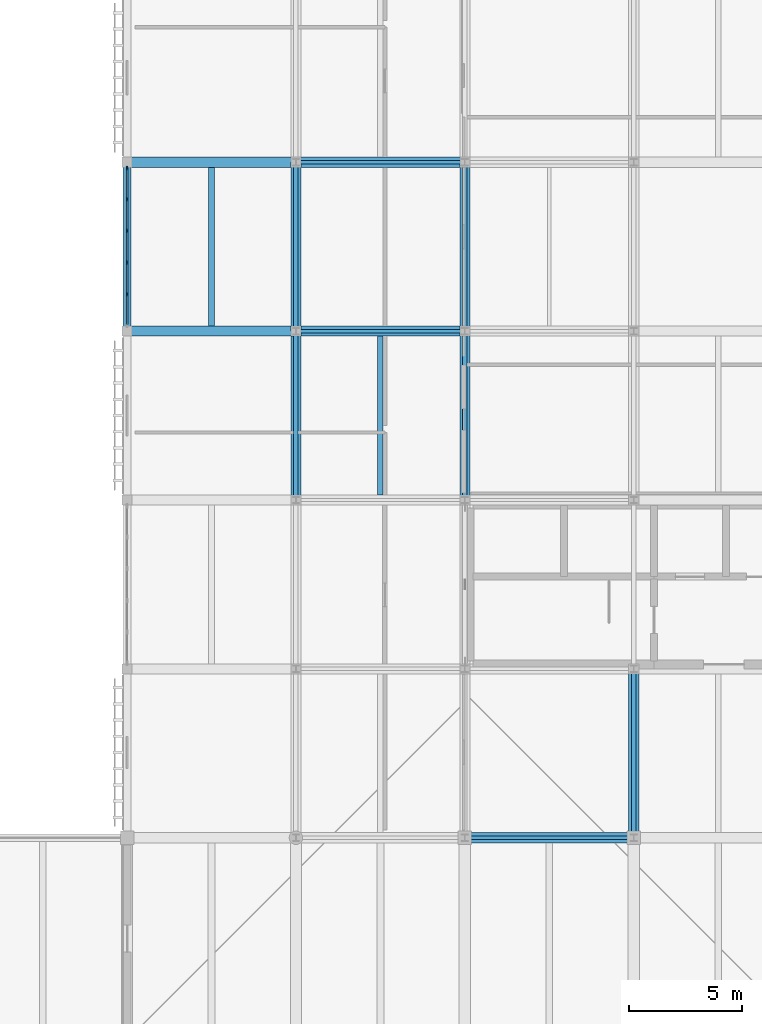
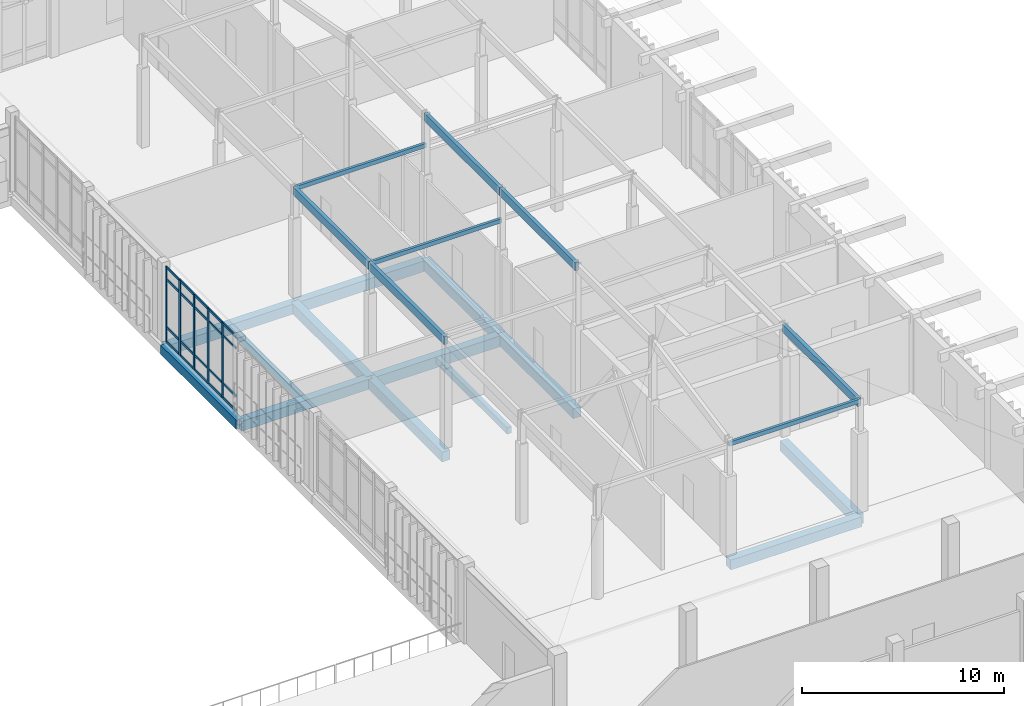
# One storey, part 67 of 131: 28 members, 18 beams, 1 element without a shape of its own.
"""IFC4 building model written with IfcOpenShell, lengths in metres."""

from ifc_helpers import new_model, si_unit, direction, frame, origin, origin_2d, place, context, subcontext, project, spatial, rectangle, hollow_rectangle, extrude, material, layer, layer_set, material_profile, profile_set, type_object, element, aggregate, save


model = new_model("IFC4")

# Units and contexts
model_context = context("Model", 3, precision=1e-05, world=origin(), true_north=direction((0.0, 1.0)))
body_context = subcontext(model_context, "Body", "Model", "MODEL_VIEW")
ifc_project = project(units=[si_unit("LENGTHUNIT", "METRE"), si_unit("AREAUNIT", "SQUARE_METRE"), si_unit("VOLUMEUNIT", "CUBIC_METRE"), si_unit("PLANEANGLEUNIT", "RADIAN"), si_unit("MASSUNIT", "GRAM", prefix="KILO")], contexts=[model_context])

# Site, building, storey
site_placement = place(None, origin())
site = spatial("IfcSite", under=ifc_project, at=site_placement, CompositionType="ELEMENT")
building_placement = place(site_placement, origin())
building = spatial("IfcBuilding", under=site, at=building_placement, Name="Dalvernix Boulevard General Hospital", CompositionType="ELEMENT")
storey_placement = place(building_placement, frame((0.0, 0.0, 9.300048828125)))
storey = spatial("IfcBuildingStorey", under=building, at=storey_placement, Name="L02", CompositionType="ELEMENT", Elevation=9.300048828125)

# Beams
ifc_material_1 = material(Name="Concrete C35/45", Category="concrete")
ifc_material_profile_1 = material_profile(ifc_material_1, rectangle(XDim=0.449951171875, YDim=0.64990234375, at=origin_2d()), Name="RCB 450x650")
ifc_profile_set_1 = profile_set([ifc_material_profile_1], Name="Concrete C35/45")
beam_type_1 = type_object("IfcBeamType", Name="BM-B-03-I", PredefinedType="BEAM", material=ifc_profile_set_1)
for number, where, z_axis, x_axis, name in (
    (1, (150.0, 54.0, -0.64501953125), (1.0, 0.0, 0.0), (0.0, 1.0, 0.0), "L02 E-W girder H:21-22"),
    (2, (150.0, 61.5, -0.64501953125), (1.0, 0.0, 0.0), (0.0, 1.0, 0.0), "L02 E-W girder J:21-22"),
):
    element("IfcBeam", number, at=place(storey_placement, frame(where, z_axis=z_axis, x_axis=x_axis)), inside=storey, type_object=beam_type_1, Name=name, PredefinedType="BEAM", context=body_context, shape_type="SweptSolid", body=[
        extrude(rectangle(XDim=0.449951171875, YDim=0.64990234375, at=origin_2d()), origin(), (0.0, 0.0, 1.0), 7.5),
    ])
ifc_material_profile_2 = material_profile(ifc_material_1, rectangle(XDim=0.449951171875, YDim=0.60009765625, at=origin_2d()), Name="RCB 450x600")
ifc_profile_set_2 = profile_set([ifc_material_profile_2], Name="Concrete C35/45")
beam_type_2 = type_object("IfcBeamType", Name="BM-B-04-I", PredefinedType="BEAM", material=ifc_profile_set_2)
for number, where, z_axis, x_axis, name in (
    (3, (157.5, 31.5, -0.6201171875), (1.0, 0.0, 0.0), (0.0, 1.0, 0.0), "L02 E-W girder E:22-23"),
    (4, (142.5, 54.0, -0.6201171875), (1.0, 0.0, 0.0), (0.0, 1.0, 0.0), "L02 E-W girder H:20-21"),
    (5, (142.5, 61.5, -0.6201171875), (1.0, 0.0, 0.0), (0.0, 1.0, 0.0), "L02 E-W girder J:20-21"),
    (6, (150.0, 46.5, -0.6201171875), (0.0, 1.0, 0.0), (-1.0, 0.0, 0.0), "L02 N-S girder 21:G-H"),
    (7, (150.0, 54.0, -0.6201171875), (0.0, 1.0, 0.0), (-1.0, 0.0, 0.0), "L02 N-S girder 21:H-J"),
    (8, (157.5, 46.5, -0.6201171875), (0.0, 1.0, 0.0), (-1.0, 0.0, 0.0), "L02 N-S girder 22:G-H"),
    (9, (157.5, 54.0, -0.6201171875), (0.0, 1.0, 0.0), (-1.0, 0.0, 0.0), "L02 N-S girder 22:H-J"),
    (10, (165.0, 31.5, -0.6201171875), (0.0, 1.0, 0.0), (-1.0, 0.0, 0.0), "L02 N-S girder 23:E-F"),
):
    element("IfcBeam", number, at=place(storey_placement, frame(where, z_axis=z_axis, x_axis=x_axis)), inside=storey, type_object=beam_type_2, Name=name, PredefinedType="BEAM", context=body_context, shape_type="SweptSolid", body=[
        extrude(rectangle(XDim=0.449951171875, YDim=0.60009765625, at=origin_2d()), origin(), (0.0, 0.0, 1.0), 7.5),
    ])
ifc_material_2 = material(Name="Glulam GL28h", Category="wood")
ifc_material_profile_3 = material_profile(ifc_material_2, rectangle(XDim=0.199951171875, YDim=0.47998046875, at=origin_2d()), Name="GL28h 200x480")
ifc_profile_set_3 = profile_set([ifc_material_profile_3], Name="Glulam GL28h")
beam_type_3 = type_object("IfcBeamType", Name="BM-GB-T3", PredefinedType="JOIST", material=ifc_profile_set_3)
for number, where, z_axis, x_axis, name in (
    (11, (150.0, 46.5, 6.371826171875), (0.0, 1.0, 0.0), (-1.0, 0.0, 0.0), "V2 pitched glulam rafter 21:G-H"),
    (12, (150.0, 54.0, 6.371826171875), (0.0, 1.0, 0.0), (-1.0, 0.0, 0.0), "V2 pitched glulam rafter 21:H-J"),
    (13, (157.5, 46.5, 8.2138671875), (0.0, 1.0, 0.0), (-1.0, 0.0, 0.0), "V2 pitched glulam rafter 22:G-H"),
    (14, (157.5, 54.0, 8.2138671875), (0.0, 1.0, 0.0), (-1.0, 0.0, 0.0), "V2 pitched glulam rafter 22:H-J"),
    (15, (165.0, 31.5, 6.469970703125), (0.0, 1.0, 0.0), (-1.0, 0.0, 0.0), "V2 pitched glulam rafter 23:E-F"),
):
    element("IfcBeam", number, at=place(storey_placement, frame(where, z_axis=z_axis, x_axis=x_axis)), inside=storey, type_object=beam_type_3, Name=name, PredefinedType="JOIST", context=body_context, shape_type="SweptSolid", body=[
        extrude(rectangle(XDim=0.199951171875, YDim=0.47998046875, at=origin_2d()), origin(), (0.0, 0.0, 1.0), 7.5),
    ])
ifc_material_profile_4 = material_profile(ifc_material_1, rectangle(XDim=0.25, YDim=0.39990234375, at=origin_2d()), Name="RCB 250x400")
ifc_profile_set_4 = profile_set([ifc_material_profile_4], Name="Concrete C35/45")
beam_type_4 = type_object("IfcBeamType", Name="BM-JB-02", PredefinedType="JOIST", material=ifc_profile_set_4)
for number, where, z_axis, x_axis, name in (
    (16, (146.25, 54.22509765625, -0.52001953125), (0.0, 1.0, 0.0), (-1.0, 0.0, 0.0), "L02 secondary floor beam 20-H"),
    (17, (153.75, 46.72509765625, -0.52001953125), (0.0, 1.0, 0.0), (-1.0, 0.0, 0.0), "L02 secondary floor beam 21-G"),
):
    element("IfcBeam", number, at=place(storey_placement, frame(where, z_axis=z_axis, x_axis=x_axis)), inside=storey, type_object=beam_type_4, Name=name, PredefinedType="JOIST", context=body_context, shape_type="SweptSolid", body=[
        extrude(rectangle(XDim=0.25, YDim=0.39990234375, at=origin_2d()), origin(), (0.0, 0.0, 1.0), 7.0498046875),
    ])
ifc_material_profile_5 = material_profile(ifc_material_1, rectangle(XDim=0.35009765625, YDim=0.550048828125, at=origin_2d()), Name="RCB 350x550")
ifc_profile_set_5 = profile_set([ifc_material_profile_5], Name="Concrete C35/45")
beam_type_5 = type_object("IfcBeamType", Name="BM-SB-01-E", PredefinedType="SPANDREL", material=ifc_profile_set_5)
beam_placement = place(storey_placement, frame((142.5, 54.0, -0.594970703125), z_axis=(0.0, 1.0, 0.0), x_axis=(-1.0, 0.0, 0.0)))
element("IfcBeam", 18, at=beam_placement, inside=storey, type_object=beam_type_5, Name="L02 N-S girder 20:H-J", PredefinedType="SPANDREL", context=body_context, shape_type="SweptSolid", body=[
    extrude(rectangle(XDim=0.35009765625, YDim=0.550048828125, at=origin_2d()), origin(), (0.0, 0.0, 1.0), 7.5),
])

# Curtain wall, members
ifc_material_3 = material(Name="Thermally broken aluminium and solar-control glass curtain wall", Category="aluminium")
ifc_layer = layer(ifc_material_3, 0.179931640625)
ifc_layer_set = layer_set([ifc_layer], Name="Thermally broken aluminium and solar-control glass curtain wall (CW-CW-B-70x46)")
curtain_wall_type = type_object("IfcCurtainWallType", Name="CW-CW-B-70x46", PredefinedType="USERDEFINED", material=ifc_layer_set)
curtain_wall_placement = place(storey_placement, origin())
curtain_wall = element("IfcCurtainWall", 19, at=curtain_wall_placement, inside=storey, type_object=curtain_wall_type, Name="L02 curtain wall CW-B-70x46 19-7", ObjectType="GLAZED FACADE", PredefinedType="USERDEFINED")
ifc_material_4 = material(Name="Aluminium EN AW-6060", Category="aluminium")
ifc_material_profile_6 = material_profile(ifc_material_4, rectangle(XDim=0.06494140625, YDim=0.179931640625, at=origin_2d()), Name="ALU MULL 65x180")
ifc_profile_set_6 = profile_set([ifc_material_profile_6], Name="Aluminium EN AW-6060")
member_type_1 = type_object("IfcMemberType", Name="MEM-CW-M2", PredefinedType="MULLION", material=ifc_profile_set_6)
member_1_placement = place(storey_placement, frame((142.5, 55.64111328125, 0.0), z_axis=(0.0, 0.0, 1.0), x_axis=(-1.0, 0.0, 0.0)))
member_1 = element("IfcMember", 20, at=member_1_placement, type_object=member_type_1, Name="CW-B-70x46 mullion 2", PredefinedType="MULLION", context=body_context, shape_type="SweptSolid", body=[
    extrude(rectangle(XDim=0.06494140625, YDim=0.179931640625, at=origin_2d()), origin(), (0.0, 0.0, 1.0), 4.550048828125),
])
member_2_placement = place(storey_placement, frame((142.5, 57.047119140625, 0.0), z_axis=(0.0, 0.0, 1.0), x_axis=(-1.0, 0.0, 0.0)))
member_2 = element("IfcMember", 21, at=member_2_placement, type_object=member_type_1, Name="CW-B-70x46 mullion 3", PredefinedType="MULLION", context=body_context, shape_type="SweptSolid", body=[
    extrude(rectangle(XDim=0.06494140625, YDim=0.179931640625, at=origin_2d()), origin(), (0.0, 0.0, 1.0), 4.550048828125),
])
member_3_placement = place(storey_placement, frame((142.5, 58.452880859375, 0.0), z_axis=(0.0, 0.0, 1.0), x_axis=(-1.0, 0.0, 0.0)))
member_3 = element("IfcMember", 22, at=member_3_placement, type_object=member_type_1, Name="CW-B-70x46 mullion 4", PredefinedType="MULLION", context=body_context, shape_type="SweptSolid", body=[
    extrude(rectangle(XDim=0.06494140625, YDim=0.179931640625, at=origin_2d()), origin(), (0.0, 0.0, 1.0), 4.550048828125),
])
member_4_placement = place(storey_placement, frame((142.5, 59.85888671875, 0.0), z_axis=(0.0, 0.0, 1.0), x_axis=(-1.0, 0.0, 0.0)))
member_4 = element("IfcMember", 23, at=member_4_placement, type_object=member_type_1, Name="CW-B-70x46 mullion 5", PredefinedType="MULLION", context=body_context, shape_type="SweptSolid", body=[
    extrude(rectangle(XDim=0.06494140625, YDim=0.179931640625, at=origin_2d()), origin(), (0.0, 0.0, 1.0), 4.550048828125),
])
member_5_placement = place(storey_placement, frame((142.5, 61.232421875, 0.0), z_axis=(0.0, 0.0, 1.0), x_axis=(-1.0, 0.0, 0.0)))
member_5 = element("IfcMember", 24, at=member_5_placement, type_object=member_type_1, Name="CW-B-70x46 mullion 6", PredefinedType="MULLION", context=body_context, shape_type="SweptSolid", body=[
    extrude(rectangle(XDim=0.06494140625, YDim=0.179931640625, at=origin_2d()), origin(), (0.0, 0.0, 1.0), 4.550048828125),
])
ifc_material_profile_7 = material_profile(ifc_material_4, rectangle(XDim=0.06494140625, YDim=0.139892578125, at=origin_2d()), Name="ALU TRAN 65x140")
ifc_profile_set_7 = profile_set([ifc_material_profile_7], Name="Aluminium EN AW-6060")
member_type_2 = type_object("IfcMemberType", Name="MEM-CW-T2", PredefinedType="USERDEFINED", material=ifc_profile_set_7)
member_6_placement = place(storey_placement, frame((142.5, 54.300048828125, 0.032470703125), z_axis=(0.0, 1.0, 0.0), x_axis=(-1.0, 0.0, 0.0)))
member_6 = element("IfcMember", 25, at=member_6_placement, type_object=member_type_2, Name="CW-B-70x46 transom 1.1", ObjectType="TRANSOM", PredefinedType="USERDEFINED", context=body_context, shape_type="SweptSolid", body=[
    extrude(rectangle(XDim=0.06494140625, YDim=0.139892578125, at=origin_2d()), origin(), (0.0, 0.0, 1.0), 1.308349609375),
])
member_7_placement = place(storey_placement, frame((142.5, 54.300048828125, 0.89990234375), z_axis=(0.0, 1.0, 0.0), x_axis=(-1.0, 0.0, 0.0)))
member_7 = element("IfcMember", 26, at=member_7_placement, type_object=member_type_2, Name="CW-B-70x46 transom 1.2", ObjectType="TRANSOM", PredefinedType="USERDEFINED", context=body_context, shape_type="SweptSolid", body=[
    extrude(rectangle(XDim=0.06494140625, YDim=0.139892578125, at=origin_2d()), origin(), (0.0, 0.0, 1.0), 1.308349609375),
])
member_8_placement = place(storey_placement, frame((142.5, 54.300048828125, 3.800048828125), z_axis=(0.0, 1.0, 0.0), x_axis=(-1.0, 0.0, 0.0)))
member_8 = element("IfcMember", 27, at=member_8_placement, type_object=member_type_2, Name="CW-B-70x46 transom 1.3", ObjectType="TRANSOM", PredefinedType="USERDEFINED", context=body_context, shape_type="SweptSolid", body=[
    extrude(rectangle(XDim=0.06494140625, YDim=0.139892578125, at=origin_2d()), origin(), (0.0, 0.0, 1.0), 1.308349609375),
])
member_9_placement = place(storey_placement, frame((142.5, 54.300048828125, 4.517333984375), z_axis=(0.0, 1.0, 0.0), x_axis=(-1.0, 0.0, 0.0)))
member_9 = element("IfcMember", 28, at=member_9_placement, type_object=member_type_2, Name="CW-B-70x46 transom 1.4", ObjectType="TRANSOM", PredefinedType="USERDEFINED", context=body_context, shape_type="SweptSolid", body=[
    extrude(rectangle(XDim=0.06494140625, YDim=0.139892578125, at=origin_2d()), origin(), (0.0, 0.0, 1.0), 1.308349609375),
])
member_10_placement = place(storey_placement, frame((142.5, 55.673583984375, 0.032470703125), z_axis=(0.0, 1.0, 0.0), x_axis=(-1.0, 0.0, 0.0)))
member_10 = element("IfcMember", 29, at=member_10_placement, type_object=member_type_2, Name="CW-B-70x46 transom 2.1", ObjectType="TRANSOM", PredefinedType="USERDEFINED", context=body_context, shape_type="SweptSolid", body=[
    extrude(rectangle(XDim=0.06494140625, YDim=0.139892578125, at=origin_2d()), origin(), (0.0, 0.0, 1.0), 1.3408203125),
])
member_11_placement = place(storey_placement, frame((142.5, 55.673583984375, 0.89990234375), z_axis=(0.0, 1.0, 0.0), x_axis=(-1.0, 0.0, 0.0)))
member_11 = element("IfcMember", 30, at=member_11_placement, type_object=member_type_2, Name="CW-B-70x46 transom 2.2", ObjectType="TRANSOM", PredefinedType="USERDEFINED", context=body_context, shape_type="SweptSolid", body=[
    extrude(rectangle(XDim=0.06494140625, YDim=0.139892578125, at=origin_2d()), origin(), (0.0, 0.0, 1.0), 1.3408203125),
])
member_12_placement = place(storey_placement, frame((142.5, 55.673583984375, 3.800048828125), z_axis=(0.0, 1.0, 0.0), x_axis=(-1.0, 0.0, 0.0)))
member_12 = element("IfcMember", 31, at=member_12_placement, type_object=member_type_2, Name="CW-B-70x46 transom 2.3", ObjectType="TRANSOM", PredefinedType="USERDEFINED", context=body_context, shape_type="SweptSolid", body=[
    extrude(rectangle(XDim=0.06494140625, YDim=0.139892578125, at=origin_2d()), origin(), (0.0, 0.0, 1.0), 1.3408203125),
])
member_13_placement = place(storey_placement, frame((142.5, 55.673583984375, 4.517333984375), z_axis=(0.0, 1.0, 0.0), x_axis=(-1.0, 0.0, 0.0)))
member_13 = element("IfcMember", 32, at=member_13_placement, type_object=member_type_2, Name="CW-B-70x46 transom 2.4", ObjectType="TRANSOM", PredefinedType="USERDEFINED", context=body_context, shape_type="SweptSolid", body=[
    extrude(rectangle(XDim=0.06494140625, YDim=0.139892578125, at=origin_2d()), origin(), (0.0, 0.0, 1.0), 1.3408203125),
])
member_14_placement = place(storey_placement, frame((142.5, 57.07958984375, 0.032470703125), z_axis=(0.0, 1.0, 0.0), x_axis=(-1.0, 0.0, 0.0)))
member_14 = element("IfcMember", 33, at=member_14_placement, type_object=member_type_2, Name="CW-B-70x46 transom 3.1", ObjectType="TRANSOM", PredefinedType="USERDEFINED", context=body_context, shape_type="SweptSolid", body=[
    extrude(rectangle(XDim=0.06494140625, YDim=0.139892578125, at=origin_2d()), origin(), (0.0, 0.0, 1.0), 1.3408203125),
])
member_15_placement = place(storey_placement, frame((142.5, 57.07958984375, 0.89990234375), z_axis=(0.0, 1.0, 0.0), x_axis=(-1.0, 0.0, 0.0)))
member_15 = element("IfcMember", 34, at=member_15_placement, type_object=member_type_2, Name="CW-B-70x46 transom 3.2", ObjectType="TRANSOM", PredefinedType="USERDEFINED", context=body_context, shape_type="SweptSolid", body=[
    extrude(rectangle(XDim=0.06494140625, YDim=0.139892578125, at=origin_2d()), origin(), (0.0, 0.0, 1.0), 1.3408203125),
])
member_16_placement = place(storey_placement, frame((142.5, 57.07958984375, 3.800048828125), z_axis=(0.0, 1.0, 0.0), x_axis=(-1.0, 0.0, 0.0)))
member_16 = element("IfcMember", 35, at=member_16_placement, type_object=member_type_2, Name="CW-B-70x46 transom 3.3", ObjectType="TRANSOM", PredefinedType="USERDEFINED", context=body_context, shape_type="SweptSolid", body=[
    extrude(rectangle(XDim=0.06494140625, YDim=0.139892578125, at=origin_2d()), origin(), (0.0, 0.0, 1.0), 1.3408203125),
])
member_17_placement = place(storey_placement, frame((142.5, 57.07958984375, 4.517333984375), z_axis=(0.0, 1.0, 0.0), x_axis=(-1.0, 0.0, 0.0)))
member_17 = element("IfcMember", 36, at=member_17_placement, type_object=member_type_2, Name="CW-B-70x46 transom 3.4", ObjectType="TRANSOM", PredefinedType="USERDEFINED", context=body_context, shape_type="SweptSolid", body=[
    extrude(rectangle(XDim=0.06494140625, YDim=0.139892578125, at=origin_2d()), origin(), (0.0, 0.0, 1.0), 1.3408203125),
])
member_18_placement = place(storey_placement, frame((142.5, 58.485595703125, 0.032470703125), z_axis=(0.0, 1.0, 0.0), x_axis=(-1.0, 0.0, 0.0)))
member_18 = element("IfcMember", 37, at=member_18_placement, type_object=member_type_2, Name="CW-B-70x46 transom 4.1", ObjectType="TRANSOM", PredefinedType="USERDEFINED", context=body_context, shape_type="SweptSolid", body=[
    extrude(rectangle(XDim=0.06494140625, YDim=0.139892578125, at=origin_2d()), origin(), (0.0, 0.0, 1.0), 1.3408203125),
])
member_19_placement = place(storey_placement, frame((142.5, 58.485595703125, 0.89990234375), z_axis=(0.0, 1.0, 0.0), x_axis=(-1.0, 0.0, 0.0)))
member_19 = element("IfcMember", 38, at=member_19_placement, type_object=member_type_2, Name="CW-B-70x46 transom 4.2", ObjectType="TRANSOM", PredefinedType="USERDEFINED", context=body_context, shape_type="SweptSolid", body=[
    extrude(rectangle(XDim=0.06494140625, YDim=0.139892578125, at=origin_2d()), origin(), (0.0, 0.0, 1.0), 1.3408203125),
])
member_20_placement = place(storey_placement, frame((142.5, 58.485595703125, 3.800048828125), z_axis=(0.0, 1.0, 0.0), x_axis=(-1.0, 0.0, 0.0)))
member_20 = element("IfcMember", 39, at=member_20_placement, type_object=member_type_2, Name="CW-B-70x46 transom 4.3", ObjectType="TRANSOM", PredefinedType="USERDEFINED", context=body_context, shape_type="SweptSolid", body=[
    extrude(rectangle(XDim=0.06494140625, YDim=0.139892578125, at=origin_2d()), origin(), (0.0, 0.0, 1.0), 1.3408203125),
])
member_21_placement = place(storey_placement, frame((142.5, 58.485595703125, 4.517333984375), z_axis=(0.0, 1.0, 0.0), x_axis=(-1.0, 0.0, 0.0)))
member_21 = element("IfcMember", 40, at=member_21_placement, type_object=member_type_2, Name="CW-B-70x46 transom 4.4", ObjectType="TRANSOM", PredefinedType="USERDEFINED", context=body_context, shape_type="SweptSolid", body=[
    extrude(rectangle(XDim=0.06494140625, YDim=0.139892578125, at=origin_2d()), origin(), (0.0, 0.0, 1.0), 1.3408203125),
])
member_22_placement = place(storey_placement, frame((142.5, 59.8916015625, 0.032470703125), z_axis=(0.0, 1.0, 0.0), x_axis=(-1.0, 0.0, 0.0)))
member_22 = element("IfcMember", 41, at=member_22_placement, type_object=member_type_2, Name="CW-B-70x46 transom 5.1", ObjectType="TRANSOM", PredefinedType="USERDEFINED", context=body_context, shape_type="SweptSolid", body=[
    extrude(rectangle(XDim=0.06494140625, YDim=0.139892578125, at=origin_2d()), origin(), (0.0, 0.0, 1.0), 1.308349609375),
])
member_23_placement = place(storey_placement, frame((142.5, 59.8916015625, 0.89990234375), z_axis=(0.0, 1.0, 0.0), x_axis=(-1.0, 0.0, 0.0)))
member_23 = element("IfcMember", 42, at=member_23_placement, type_object=member_type_2, Name="CW-B-70x46 transom 5.2", ObjectType="TRANSOM", PredefinedType="USERDEFINED", context=body_context, shape_type="SweptSolid", body=[
    extrude(rectangle(XDim=0.06494140625, YDim=0.139892578125, at=origin_2d()), origin(), (0.0, 0.0, 1.0), 1.308349609375),
])
member_24_placement = place(storey_placement, frame((142.5, 59.8916015625, 3.800048828125), z_axis=(0.0, 1.0, 0.0), x_axis=(-1.0, 0.0, 0.0)))
member_24 = element("IfcMember", 43, at=member_24_placement, type_object=member_type_2, Name="CW-B-70x46 transom 5.3", ObjectType="TRANSOM", PredefinedType="USERDEFINED", context=body_context, shape_type="SweptSolid", body=[
    extrude(rectangle(XDim=0.06494140625, YDim=0.139892578125, at=origin_2d()), origin(), (0.0, 0.0, 1.0), 1.308349609375),
])
member_25_placement = place(storey_placement, frame((142.5, 59.8916015625, 4.517333984375), z_axis=(0.0, 1.0, 0.0), x_axis=(-1.0, 0.0, 0.0)))
member_25 = element("IfcMember", 44, at=member_25_placement, type_object=member_type_2, Name="CW-B-70x46 transom 5.4", ObjectType="TRANSOM", PredefinedType="USERDEFINED", context=body_context, shape_type="SweptSolid", body=[
    extrude(rectangle(XDim=0.06494140625, YDim=0.139892578125, at=origin_2d()), origin(), (0.0, 0.0, 1.0), 1.308349609375),
])
aggregate(curtain_wall, [member_1, member_2, member_3, member_4, member_5, member_6, member_7, member_8, member_9, member_10, member_11, member_12, member_13, member_14, member_15, member_16, member_17, member_18, member_19, member_20, member_21, member_22, member_23, member_24, member_25])

# Members
ifc_material_5 = material(Name="Steel S355", Category="steel")
ifc_material_profile_8 = material_profile(ifc_material_5, hollow_rectangle(XDim=0.14990234375, YDim=0.25, WallThickness=0.010009765625, at=origin_2d()), Name="RHS 250x150x10.0")
ifc_profile_set_8 = profile_set([ifc_material_profile_8], Name="Steel S355")
member_type_3 = type_object("IfcMemberType", Name="MEM-PR-04", PredefinedType="PURLIN", material=ifc_profile_set_8)
for number, where, z_axis, x_axis, name in (
    (45, (150.0, 54.0, 6.496826171875), (1.0, 0.0, 0.0), (0.0, 1.0, 0.0), "V2 attic purlin 21-22:H"),
    (46, (150.0, 61.5, 6.496826171875), (1.0, 0.0, 0.0), (0.0, 1.0, 0.0), "V2 attic purlin 21-22:J"),
    (47, (157.5, 31.5, 6.594970703125), (1.0, 0.0, 0.0), (0.0, 1.0, 0.0), "V2 attic purlin 22-23:E"),
):
    element("IfcMember", number, at=place(storey_placement, frame(where, z_axis=z_axis, x_axis=x_axis)), inside=storey, type_object=member_type_3, Name=name, PredefinedType="PURLIN", context=body_context, shape_type="SweptSolid", body=[
        extrude(hollow_rectangle(XDim=0.14990234375, YDim=0.25, WallThickness=0.010009765625, at=origin_2d()), origin(), (0.0, 0.0, 1.0), 7.5),
    ])

save(model, "model.ifc")
